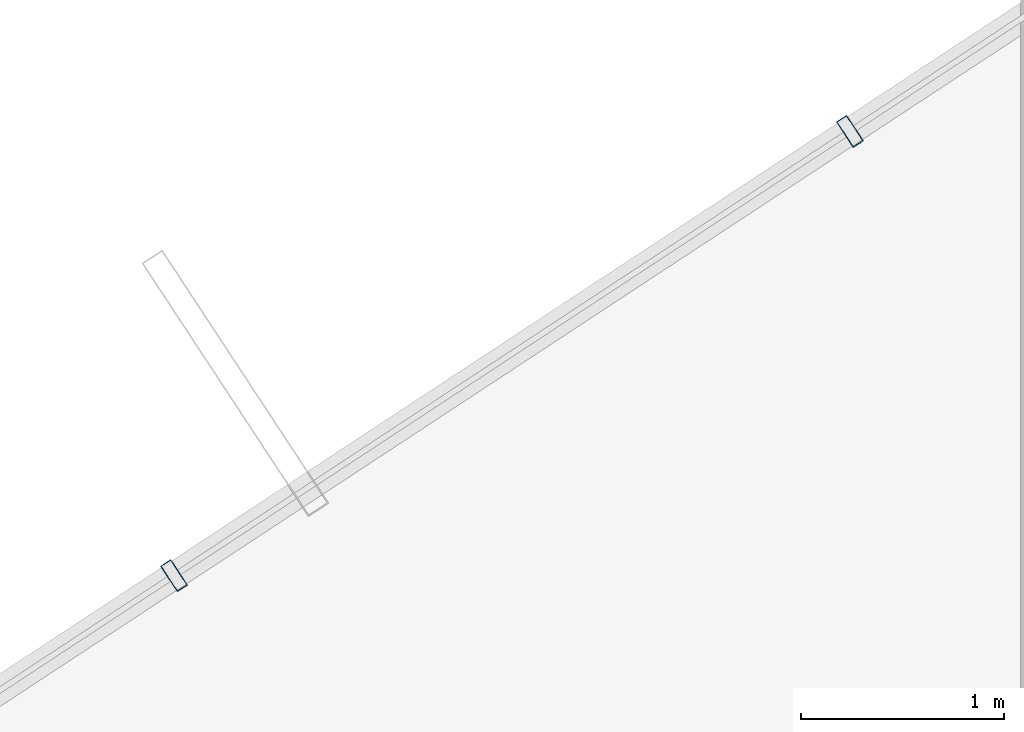
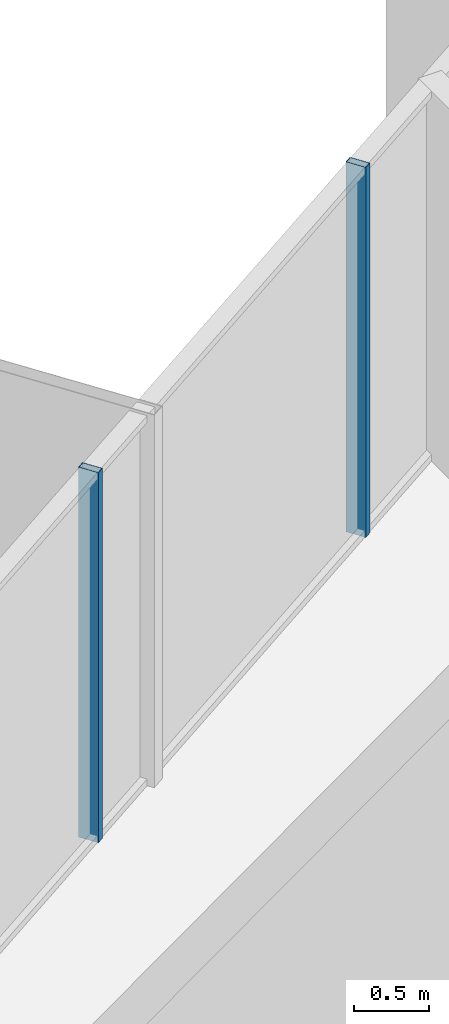
# One storey, part 22 of 33: 2 members, 1 element without a shape of its own.
"""IFC4 building model written with IfcOpenShell, lengths in metres."""

from ifc_helpers import new_model, si_unit, direction, frame, origin, origin_2d, place, context, subcontext, project, spatial, hollow_rectangle, extrude, source, transform, mapped, material, layer, layer_set, material_profile, profile_set, type_object, element, aggregate, save


model = new_model("IFC4")

# Units and contexts
model_context = context("Model", 3, precision=1e-05, world=origin(), true_north=direction((0.0, 1.0)))
body_context = subcontext(model_context, "Body", "Model", "MODEL_VIEW")
ifc_project = project(units=[si_unit("LENGTHUNIT", "METRE"), si_unit("AREAUNIT", "SQUARE_METRE"), si_unit("VOLUMEUNIT", "CUBIC_METRE"), si_unit("PLANEANGLEUNIT", "RADIAN"), si_unit("MASSUNIT", "GRAM", prefix="KILO")], contexts=[model_context])

# Site, building, storey
site_placement = place(None, origin())
site = spatial("IfcSite", under=ifc_project, at=site_placement, CompositionType="ELEMENT")
building_placement = place(site_placement, origin())
building = spatial("IfcBuilding", under=site, at=building_placement, Name="Veraguas Prism Commons", CompositionType="ELEMENT")
storey_placement = place(building_placement, frame((0.0, 0.0, 195.10009765625)))
storey = spatial("IfcBuildingStorey", under=building, at=storey_placement, Name="L55", CompositionType="ELEMENT", Elevation=195.10009765625)

# Curtain wall, members
ifc_material = material(Name="Anodised aluminium EN AW-6063 T6", Category="aluminium")
ifc_layer = layer(ifc_material, 0.14990234375, Name="Unitised Flush Curtain Wall Zone 3", Category="aluminium")
ifc_layer_set = layer_set([ifc_layer], Name="Anodised aluminium EN AW-6063 T6")
curtain_wall_type = type_object("IfcCurtainWallType", Name="Unitised Flush Curtain Wall Zone 3", PredefinedType="NOTDEFINED", material=ifc_layer_set)
curtain_wall_placement = place(storey_placement, origin())
curtain_wall = element("IfcCurtainWall", 1, at=curtain_wall_placement, inside=storey, type_object=curtain_wall_type, Name="Tower Facade Curtain Wall L55-F2", PredefinedType="NOTDEFINED")
ifc_material_profile = material_profile(ifc_material, hollow_rectangle(XDim=0.06005859375, YDim=0.14990234375, WallThickness=0.0029296875, at=origin_2d()), Name="AL60X150X3")
ifc_profile_set = profile_set([ifc_material_profile], Name="Anodised aluminium EN AW-6063 T6")
member_type = type_object("IfcMemberType", Name="Curtain Wall Mullion Upper AL 60x150x3", PredefinedType="MULLION", material=ifc_profile_set)
shared_shape = source(origin(), body_context, "Body", "SweptSolid", [
    extrude(hollow_rectangle(XDim=0.06005859375, YDim=0.14990234375, WallThickness=0.0029296875, at=origin_2d()), origin(), (0.0, 0.0, 1.0), 3.014892578125),
])
member_1_placement = place(storey_placement, frame((14.271484375, 38.798828125, 0.0), z_axis=(0.0, 0.0, 1.0), x_axis=(-0.835621417698, -0.549305785774, 0.0)))
member_1 = element("IfcMember", 2, at=member_1_placement, type_object=member_type, Name="CW-Z3 Mullion 3", PredefinedType="MULLION", context=body_context, shape_type="MappedRepresentation", body=[
    mapped(shared_shape, transform((0.0, 0.0, 0.0), scale=1.0)),
])
member_2_placement = place(storey_placement, frame((10.949462890625, 36.615234375, 0.0), z_axis=(0.0, 0.0, 1.0), x_axis=(-0.835621417698, -0.549305785774, 0.0)))
member_2 = element("IfcMember", 3, at=member_2_placement, type_object=member_type, Name="CW-Z3 Mullion 4", PredefinedType="MULLION", context=body_context, shape_type="MappedRepresentation", body=[
    mapped(shared_shape, transform((0.0, 0.0, 0.0), scale=1.0)),
])
aggregate(curtain_wall, [member_1, member_2])

save(model, "model.ifc")
